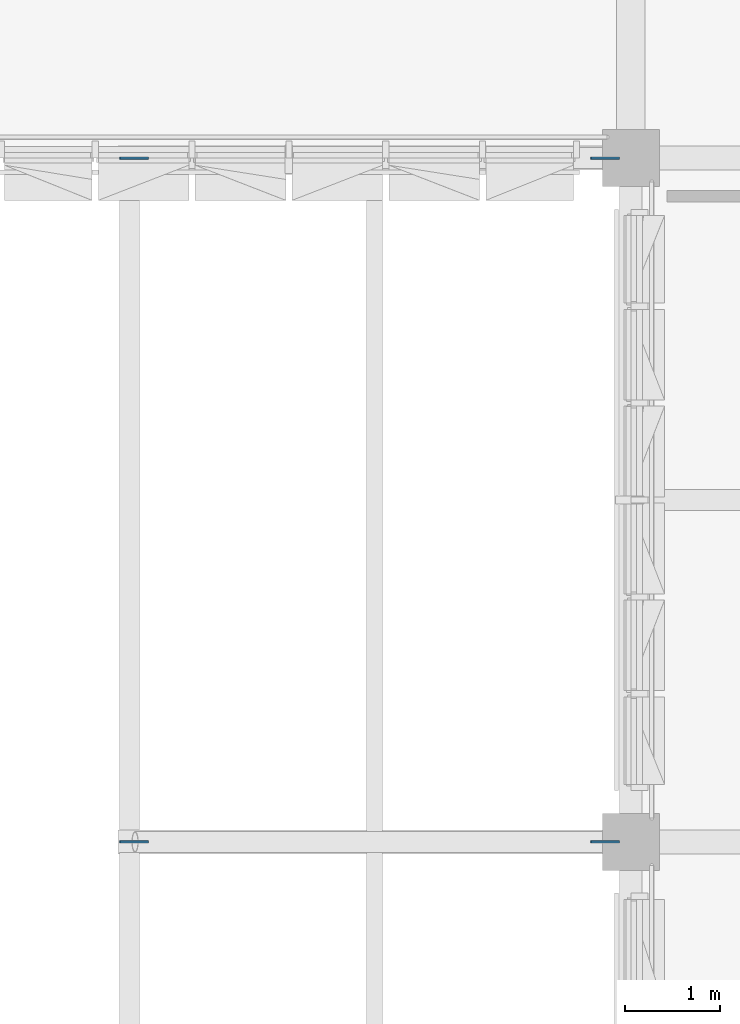
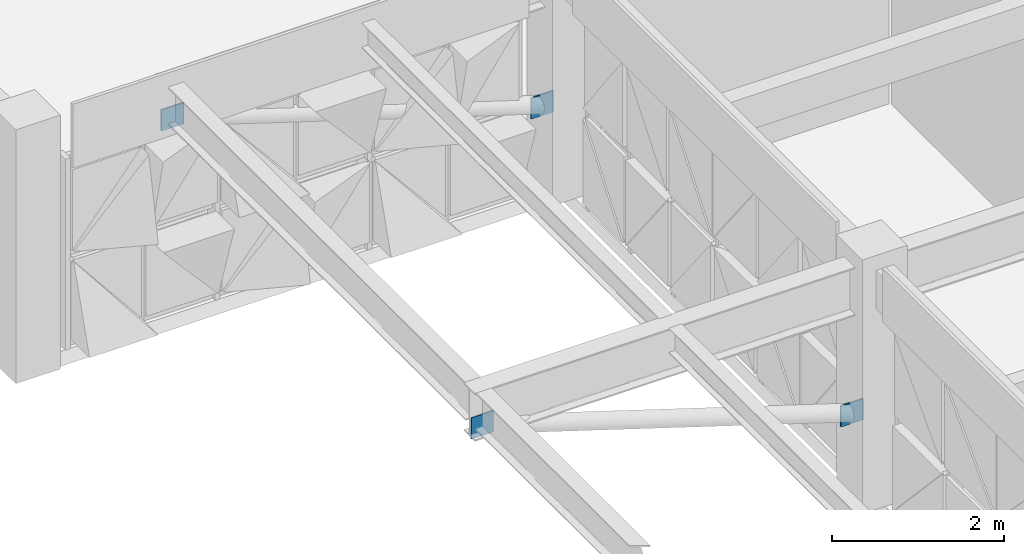
# One storey, part 48 of 99: 4 plates.
"""IFC4 building model written with IfcOpenShell, lengths in metres."""

from ifc_helpers import new_model, si_unit, direction, frame, origin, place, context, subcontext, project, spatial, polyline, outline, extrude, material, layer, layer_set, type_object, element, save


model = new_model("IFC4")

# Units and contexts
model_context = context("Model", 3, precision=1e-05, world=origin(), true_north=direction((0.0, 1.0)))
body_context = subcontext(model_context, "Body", "Model", "MODEL_VIEW")
ifc_project = project(units=[si_unit("LENGTHUNIT", "METRE"), si_unit("AREAUNIT", "SQUARE_METRE"), si_unit("VOLUMEUNIT", "CUBIC_METRE"), si_unit("PLANEANGLEUNIT", "RADIAN"), si_unit("MASSUNIT", "GRAM", prefix="KILO")], contexts=[model_context])

# Site, building, storey
site_placement = place(None, origin())
site = spatial("IfcSite", under=ifc_project, at=site_placement, CompositionType="ELEMENT")
building_placement = place(site_placement, origin())
building = spatial("IfcBuilding", under=site, at=building_placement, Name="Alvorim Cloister Faculty of Sciences", CompositionType="ELEMENT")
storey_placement = place(building_placement, frame((0.0, 0.0, 12.14990234375)))
storey = spatial("IfcBuildingStorey", under=building, at=storey_placement, Name="L03", CompositionType="ELEMENT", Elevation=12.14990234375)

# Plates
ifc_material = material(Name="Steel ASTM A572 Grade 50", Category="steel")
ifc_layer = layer(ifc_material, 0.02001953125)
ifc_layer_set = layer_set([ifc_layer], Name="Steel ASTM A572 Grade 50")
plate_type = type_object("IfcPlateType", Name="PL-GUS-20", PredefinedType="SHEET", material=ifc_layer_set)
plate_1_placement = place(storey_placement, frame((7.07958984375, 49.199951171875, 1.09716796875), z_axis=(0.0, 0.0, 1.0), x_axis=(-1.0, 0.0, 0.0)))
element("IfcPlate", 1, at=plate_1_placement, inside=storey, type_object=plate_type, Name="Hollow Steel End Plate ND-03", PredefinedType="SHEET", context=body_context, shape_type="SweptSolid", body=[
    extrude(outline(polyline([(0.0, 0.0), (0.300048828125, 0.0), (0.300048828125, 0.2998046875), (0.0, 0.2998046875), (0.0, 0.0)])), frame((0.0, 0.010009765625, 0.0), z_axis=(0.0, -1.0, 0.0), x_axis=(1.0, 0.0, 0.0)), (0.0, 0.0, 1.0), 0.02001953125),
])
plate_2_placement = place(storey_placement, frame((2.120361328125, 49.199951171875, 2.6630859375), z_axis=(0.0, 0.0, 1.0), x_axis=(-1.0, 0.0, 0.0)))
element("IfcPlate", 2, at=plate_2_placement, inside=storey, type_object=plate_type, Name="Hollow Steel End Plate ND-03", PredefinedType="SHEET", context=body_context, shape_type="SweptSolid", body=[
    extrude(outline(polyline([(0.0, 0.0), (0.300048828125, 0.0), (0.300048828125, 0.300048828125), (0.0, 0.300048828125), (0.0, 0.0)])), frame((0.0, 0.010009765625, 0.0), z_axis=(0.0, -1.0, 0.0), x_axis=(1.0, 0.0, 0.0)), (0.0, 0.0, 1.0), 0.02001953125),
])
plate_3_placement = place(storey_placement, frame((7.07958984375, 56.39990234375, 1.09716796875), z_axis=(0.0, 0.0, 1.0), x_axis=(-1.0, 0.0, 0.0)))
element("IfcPlate", 3, at=plate_3_placement, inside=storey, type_object=plate_type, Name="Hollow Steel End Plate ND-03", PredefinedType="SHEET", context=body_context, shape_type="SweptSolid", body=[
    extrude(outline(polyline([(0.0, 0.0), (0.300048828125, 0.0), (0.300048828125, 0.2998046875), (0.0, 0.2998046875), (0.0, 0.0)])), frame((0.0, 0.010009765625, 0.0), z_axis=(0.0, -1.0, 0.0), x_axis=(1.0, 0.0, 0.0)), (0.0, 0.0, 1.0), 0.02001953125),
])
plate_4_placement = place(storey_placement, frame((2.120361328125, 56.39990234375, 2.6630859375), z_axis=(0.0, 0.0, 1.0), x_axis=(-1.0, 0.0, 0.0)))
element("IfcPlate", 4, at=plate_4_placement, inside=storey, type_object=plate_type, Name="Hollow Steel End Plate ND-03", PredefinedType="SHEET", context=body_context, shape_type="SweptSolid", body=[
    extrude(outline(polyline([(0.0, 0.0), (0.300048828125, 0.0), (0.300048828125, 0.300048828125), (0.0, 0.300048828125), (0.0, 0.0)])), frame((0.0, 0.010009765625, 0.0), z_axis=(0.0, -1.0, 0.0), x_axis=(1.0, 0.0, 0.0)), (0.0, 0.0, 1.0), 0.02001953125),
])

save(model, "model.ifc")
